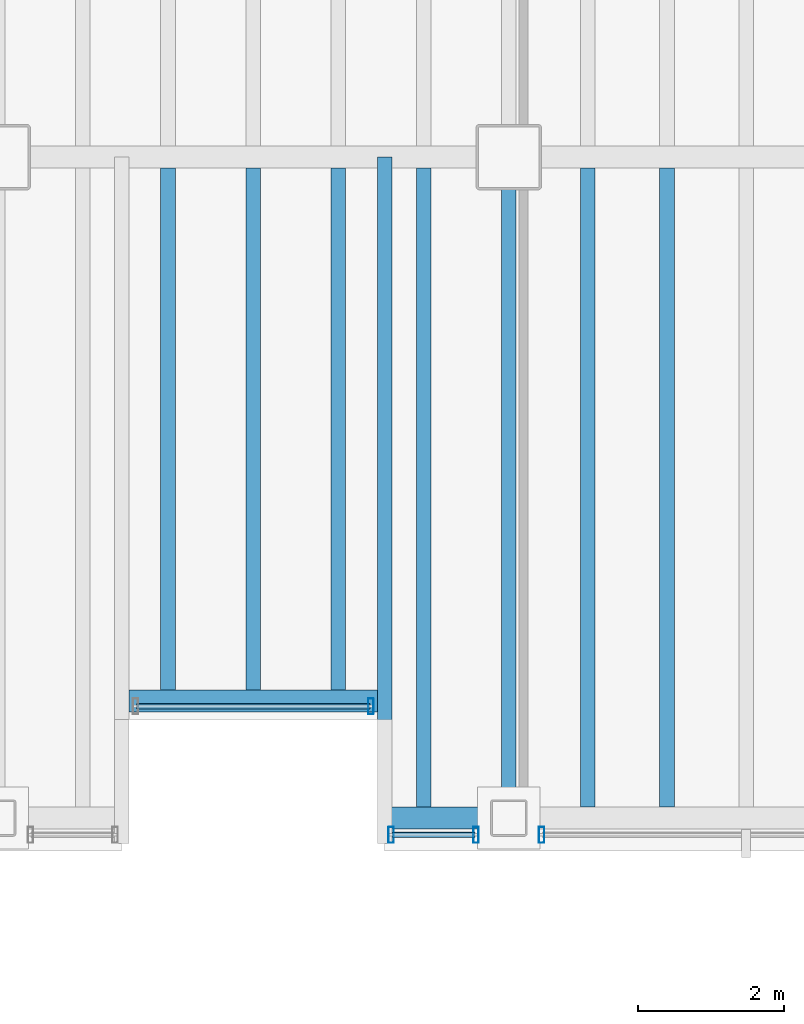
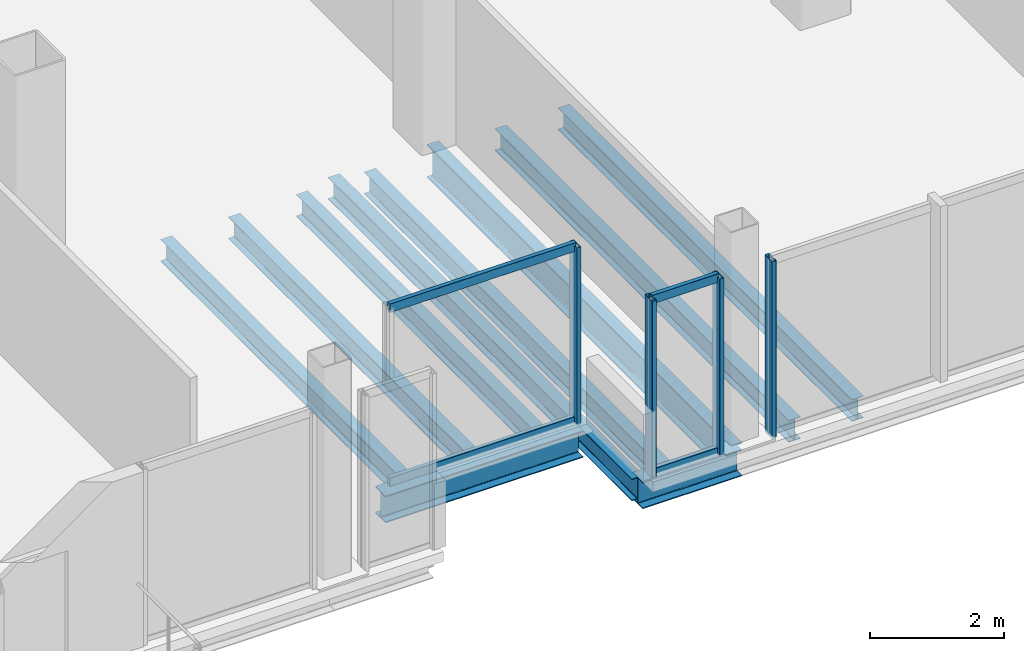
# One storey, part 5 of 20: 10 beams, 8 members, 3 elements without a shape of their own.
"""IFC4 building model written with IfcOpenShell, lengths in metres."""

from ifc_helpers import new_model, si_unit, direction, frame, origin, origin_2d, place, context, subcontext, project, spatial, hollow_rectangle, i_section, extrude, material, material_profile, profile_set, type_object, element, aggregate, save


model = new_model("IFC4")

# Units and contexts
model_context = context("Model", 3, precision=1e-05, world=origin(), true_north=direction((0.0, 1.0)))
body_context = subcontext(model_context, "Body", "Model", "MODEL_VIEW")
ifc_project = project(units=[si_unit("LENGTHUNIT", "METRE"), si_unit("AREAUNIT", "SQUARE_METRE"), si_unit("VOLUMEUNIT", "CUBIC_METRE"), si_unit("PLANEANGLEUNIT", "RADIAN"), si_unit("MASSUNIT", "GRAM", prefix="KILO")], contexts=[model_context])

# Site, building, storey
site_placement = place(None, origin())
site = spatial("IfcSite", under=ifc_project, at=site_placement, CompositionType="ELEMENT")
building_placement = place(site_placement, origin())
building = spatial("IfcBuilding", under=site, at=building_placement, Name="Noeulbin Bourse Tower", CompositionType="ELEMENT")
storey_placement = place(building_placement, frame((0.0, 0.0, 118.800048828125)))
storey = spatial("IfcBuildingStorey", under=building, at=storey_placement, Name="L29", CompositionType="ELEMENT", Elevation=118.800048828125)

# Beams
ifc_material_1 = material(Name="Steel S355", Category="steel")
ifc_material_profile_1 = material_profile(ifc_material_1, i_section(OverallWidth=0.199951171875, OverallDepth=0.60009765625, WebThickness=0.010986328125, FlangeThickness=0.01708984375, FilletRadius=0.02197265625, at=origin_2d()), Name="H-600x200x11x17", Category="LoadBearing")
ifc_profile_set_1 = profile_set([ifc_material_profile_1], Name="Steel S355")
beam_type_1 = type_object("IfcBeamType", Name="BM-GRD-600", PredefinedType="USERDEFINED", material=ifc_profile_set_1)
beam_1_placement = place(storey_placement, frame((31.0, 10.949951171875, -0.47998046875), z_axis=(0.0, 1.0, 0.0), x_axis=(-1.0, 0.0, 0.0)))
element("IfcBeam", 1, at=beam_1_placement, inside=storey, type_object=beam_type_1, Name="Tower Primary Girder NS L29-3.1", ObjectType="GIRDER", PredefinedType="USERDEFINED", context=body_context, shape_type="SweptSolid", body=[
    extrude(i_section(OverallWidth=0.199951171875, OverallDepth=0.60009765625, WebThickness=0.010986328125, FlangeThickness=0.01708984375, FilletRadius=0.02197265625, at=origin_2d()), origin(), (0.0, 0.0, 1.0), 9.050048828125),
])
ifc_material_profile_2 = material_profile(ifc_material_1, i_section(OverallWidth=0.199951171875, OverallDepth=0.39990234375, WebThickness=0.008056640625, FlangeThickness=0.012939453125, FilletRadius=0.01611328125, at=origin_2d()), Name="H-400x200x8x13", Category="LoadBearing")
ifc_profile_set_2 = profile_set([ifc_material_profile_2], Name="Steel S355")
beam_type_2 = type_object("IfcBeamType", Name="BM-SEC-400", PredefinedType="BEAM", material=ifc_profile_set_2)
beam_2_placement = place(storey_placement, frame((29.300048828125, 10.949951171875, -0.380126953125), z_axis=(0.0, 1.0, 0.0), x_axis=(-1.0, 0.0, 0.0)))
element("IfcBeam", 2, at=beam_2_placement, inside=storey, type_object=beam_type_2, Name="BM-L29-SRT-E", PredefinedType="BEAM", context=body_context, shape_type="SweptSolid", body=[
    extrude(i_section(OverallWidth=0.199951171875, OverallDepth=0.39990234375, WebThickness=0.008056640625, FlangeThickness=0.012939453125, FilletRadius=0.01611328125, at=origin_2d()), origin(), (0.0, 0.0, 1.0), 9.050048828125),
])
for number, where, z_axis, x_axis, name in (
    (3, (26.333251953125, 12.699951171875, -0.380126953125), (0.0, 1.0, 0.0), (-1.0, 0.0, 0.0), "Tower Composite Joist L29-19"),
    (4, (27.5, 12.699951171875, -0.380126953125), (0.0, 1.0, 0.0), (-1.0, 0.0, 0.0), "Tower Composite Joist L29-21"),
    (5, (28.666748046875, 12.699951171875, -0.380126953125), (0.0, 1.0, 0.0), (-1.0, 0.0, 0.0), "Tower Composite Joist L29-23"),
):
    element("IfcBeam", number, at=place(storey_placement, frame(where, z_axis=z_axis, x_axis=x_axis)), inside=storey, type_object=beam_type_2, Name=name, PredefinedType="BEAM", context=body_context, shape_type="SweptSolid", body=[
        extrude(i_section(OverallWidth=0.199951171875, OverallDepth=0.39990234375, WebThickness=0.008056640625, FlangeThickness=0.012939453125, FilletRadius=0.01611328125, at=origin_2d()), origin(), (0.0, 0.0, 1.0), 7.150146484375),
    ])
for number, where, z_axis, x_axis, name in (
    (6, (29.833251953125, 11.10009765625, -0.380126953125), (0.0, 1.0, 0.0), (-1.0, 0.0, 0.0), "Tower Composite Joist L29-25"),
    (7, (32.083251953125, 11.10009765625, -0.380126953125), (0.0, 1.0, 0.0), (-1.0, 0.0, 0.0), "Tower Composite Joist L29-27"),
    (8, (33.166748046875, 11.10009765625, -0.380126953125), (0.0, 1.0, 0.0), (-1.0, 0.0, 0.0), "Tower Composite Joist L29-29"),
):
    element("IfcBeam", number, at=place(storey_placement, frame(where, z_axis=z_axis, x_axis=x_axis)), inside=storey, type_object=beam_type_2, Name=name, PredefinedType="BEAM", context=body_context, shape_type="SweptSolid", body=[
        extrude(i_section(OverallWidth=0.199951171875, OverallDepth=0.39990234375, WebThickness=0.008056640625, FlangeThickness=0.012939453125, FilletRadius=0.01611328125, at=origin_2d()), origin(), (0.0, 0.0, 1.0), 8.75),
    ])
ifc_material_profile_3 = material_profile(ifc_material_1, i_section(OverallWidth=0.300048828125, OverallDepth=0.488037109375, WebThickness=0.010986328125, FlangeThickness=0.01806640625, FilletRadius=0.02197265625, at=origin_2d()), Name="H-488x300x11x18", Category="LoadBearing")
ifc_profile_set_3 = profile_set([ifc_material_profile_3], Name="Steel S355")
beam_type_3 = type_object("IfcBeamType", Name="BM-SPN-488", PredefinedType="SPANDREL", material=ifc_profile_set_3)
beam_3_placement = place(storey_placement, frame((25.800048828125, 12.550048828125, -0.424072265625), z_axis=(1.0, 0.0, 0.0), x_axis=(0.0, 1.0, 0.0)))
element("IfcBeam", 9, at=beam_3_placement, inside=storey, type_object=beam_type_3, Name="South Recess Spandrel L29-2B", PredefinedType="SPANDREL", context=body_context, shape_type="SweptSolid", body=[
    extrude(i_section(OverallWidth=0.300048828125, OverallDepth=0.488037109375, WebThickness=0.010986328125, FlangeThickness=0.01806640625, FilletRadius=0.02197265625, at=origin_2d()), origin(), (0.0, 0.0, 1.0), 3.39990234375),
])
beam_4_placement = place(storey_placement, frame((29.300048828125, 10.949951171875, -0.424072265625), z_axis=(1.0, 0.0, 0.0), x_axis=(0.0, 1.0, 0.0)))
element("IfcBeam", 10, at=beam_4_placement, inside=storey, type_object=beam_type_3, Name="South Spandrel L29-2C", PredefinedType="SPANDREL", context=body_context, shape_type="SweptSolid", body=[
    extrude(i_section(OverallWidth=0.300048828125, OverallDepth=0.488037109375, WebThickness=0.010986328125, FlangeThickness=0.01806640625, FilletRadius=0.02197265625, at=origin_2d()), origin(), (0.0, 0.0, 1.0), 1.699951171875),
])

# Curtain wall, member
ifc_material_2 = material(Name="Dark Tinted Triple Glazing", Category="glass")
curtain_wall_type = type_object("IfcCurtainWallType", Name="CW-SYS-3", PredefinedType="NOTDEFINED", material=ifc_material_2)
curtain_wall_1_placement = place(storey_placement, origin())
curtain_wall_1 = element("IfcCurtainWall", 11, at=curtain_wall_1_placement, inside=storey, type_object=curtain_wall_type, Name="Unitised Curtain Wall CW-L29-SREC", PredefinedType="NOTDEFINED")
ifc_material_3 = material(Name="Anodised Aluminium 6063-T6", Category="aluminium")
ifc_material_profile_4 = material_profile(ifc_material_3, hollow_rectangle(XDim=0.074951171875, YDim=0.219970703125, WallThickness=0.0048828125, InnerFilletRadius=0.00244140625, OuterFilletRadius=0.0048828125, at=origin_2d()), Name="ALU-MULL-75x220x5", Category="LoadBearing")
ifc_profile_set_4 = profile_set([ifc_material_profile_4], Name="Anodised Aluminium 6063-T6")
member_type_1 = type_object("IfcMemberType", Name="CW-SYS-3-MUL", PredefinedType="MULLION", material=ifc_profile_set_4)
member_1_placement = place(storey_placement, frame((29.110107421875, 12.47998046875, -0.02001953125), z_axis=(0.0, 0.0, 1.0), x_axis=(1.0, 0.0, 0.0)))
member_1 = element("IfcMember", 12, at=member_1_placement, type_object=member_type_1, Name="Curtain Wall Mullion CW-L29-SREC-M01", PredefinedType="MULLION", context=body_context, shape_type="SweptSolid", body=[
    extrude(hollow_rectangle(XDim=0.074951171875, YDim=0.219970703125, WallThickness=0.0048828125, InnerFilletRadius=0.00244140625, OuterFilletRadius=0.0048828125, at=origin_2d()), origin(), (0.0, 0.0, 1.0), 3.219970703125),
])

# Curtain wall, members
curtain_wall_2_placement = place(storey_placement, origin())
curtain_wall_2 = element("IfcCurtainWall", 13, at=curtain_wall_2_placement, inside=storey, type_object=curtain_wall_type, Name="Unitised Curtain Wall CW-L29-S3-S1", PredefinedType="NOTDEFINED")
member_2_placement = place(storey_placement, frame((29.389892578125, 10.719970703125, -0.02001953125), z_axis=(0.0, 0.0, 1.0), x_axis=(1.0, 0.0, 0.0)))
member_2 = element("IfcMember", 14, at=member_2_placement, type_object=member_type_1, Name="Curtain Wall Mullion CW-L29-S3-S1-M00", PredefinedType="MULLION", context=body_context, shape_type="SweptSolid", body=[
    extrude(hollow_rectangle(XDim=0.074951171875, YDim=0.219970703125, WallThickness=0.0048828125, InnerFilletRadius=0.00244140625, OuterFilletRadius=0.0048828125, at=origin_2d()), origin(), (0.0, 0.0, 1.0), 3.219970703125),
])
member_3_placement = place(storey_placement, frame((30.550048828125, 10.719970703125, -0.02001953125), z_axis=(0.0, 0.0, 1.0), x_axis=(1.0, 0.0, 0.0)))
member_3 = element("IfcMember", 15, at=member_3_placement, type_object=member_type_1, Name="Curtain Wall Mullion CW-L29-S3-S1-M01", PredefinedType="MULLION", context=body_context, shape_type="SweptSolid", body=[
    extrude(hollow_rectangle(XDim=0.074951171875, YDim=0.219970703125, WallThickness=0.0048828125, InnerFilletRadius=0.00244140625, OuterFilletRadius=0.0048828125, at=origin_2d()), origin(), (0.0, 0.0, 1.0), 3.219970703125),
])

# Curtain wall, member
curtain_wall_3_placement = place(storey_placement, origin())
curtain_wall_3 = element("IfcCurtainWall", 16, at=curtain_wall_3_placement, inside=storey, type_object=curtain_wall_type, Name="Unitised Curtain Wall CW-L29-S3-S2", PredefinedType="NOTDEFINED")
member_4_placement = place(storey_placement, frame((31.449951171875, 10.719970703125, -0.02001953125), z_axis=(0.0, 0.0, 1.0), x_axis=(1.0, 0.0, 0.0)))
member_4 = element("IfcMember", 17, at=member_4_placement, type_object=member_type_1, Name="Curtain Wall Mullion CW-L29-S3-S2-M00", PredefinedType="MULLION", context=body_context, shape_type="SweptSolid", body=[
    extrude(hollow_rectangle(XDim=0.074951171875, YDim=0.219970703125, WallThickness=0.0048828125, InnerFilletRadius=0.00244140625, OuterFilletRadius=0.0048828125, at=origin_2d()), origin(), (0.0, 0.0, 1.0), 3.219970703125),
])
aggregate(curtain_wall_3, [member_4])

# Member
ifc_material_profile_5 = material_profile(ifc_material_3, hollow_rectangle(XDim=0.074951171875, YDim=0.159912109375, WallThickness=0.0048828125, InnerFilletRadius=0.00244140625, OuterFilletRadius=0.0048828125, at=origin_2d()), Name="ALU-TRAN-75x160x5", Category="LoadBearing")
ifc_profile_set_5 = profile_set([ifc_material_profile_5], Name="Anodised Aluminium 6063-T6")
member_type_2 = type_object("IfcMemberType", Name="CW-SYS-3-TRN", PredefinedType="USERDEFINED", material=ifc_profile_set_5)
member_5_placement = place(storey_placement, frame((25.89990234375, 12.47998046875, 0.010009765625), z_axis=(1.0, 0.0, 0.0), x_axis=(0.0, 1.0, 0.0)))
member_5 = element("IfcMember", 18, at=member_5_placement, type_object=member_type_2, Name="Curtain Wall Transom CW-L29-SREC-T00", ObjectType="TRANSOM", PredefinedType="USERDEFINED", context=body_context, shape_type="SweptSolid", body=[
    extrude(hollow_rectangle(XDim=0.074951171875, YDim=0.159912109375, WallThickness=0.0048828125, InnerFilletRadius=0.00244140625, OuterFilletRadius=0.0048828125, at=origin_2d()), origin(), (0.0, 0.0, 1.0), 3.2001953125),
])

member_6_placement = place(storey_placement, frame((25.89990234375, 12.47998046875, 3.169921875), z_axis=(1.0, 0.0, 0.0), x_axis=(0.0, 1.0, 0.0)))
member_6 = element("IfcMember", 19, at=member_6_placement, type_object=member_type_2, Name="Curtain Wall Transom CW-L29-SREC-T01", ObjectType="TRANSOM", PredefinedType="USERDEFINED", context=body_context, shape_type="SweptSolid", body=[
    extrude(hollow_rectangle(XDim=0.074951171875, YDim=0.159912109375, WallThickness=0.0048828125, InnerFilletRadius=0.00244140625, OuterFilletRadius=0.0048828125, at=origin_2d()), origin(), (0.0, 0.0, 1.0), 3.2001953125),
])

aggregate(curtain_wall_1, [member_1, member_5, member_6])

member_7_placement = place(storey_placement, frame((29.39990234375, 10.719970703125, 0.010009765625), z_axis=(1.0, 0.0, 0.0), x_axis=(0.0, 1.0, 0.0)))
member_7 = element("IfcMember", 20, at=member_7_placement, type_object=member_type_2, Name="Curtain Wall Transom CW-L29-S3-S1-T00", ObjectType="TRANSOM", PredefinedType="USERDEFINED", context=body_context, shape_type="SweptSolid", body=[
    extrude(hollow_rectangle(XDim=0.074951171875, YDim=0.159912109375, WallThickness=0.0048828125, InnerFilletRadius=0.00244140625, OuterFilletRadius=0.0048828125, at=origin_2d()), origin(), (0.0, 0.0, 1.0), 1.14013671875),
])

member_8_placement = place(storey_placement, frame((29.39990234375, 10.719970703125, 3.169921875), z_axis=(1.0, 0.0, 0.0), x_axis=(0.0, 1.0, 0.0)))
member_8 = element("IfcMember", 21, at=member_8_placement, type_object=member_type_2, Name="Curtain Wall Transom CW-L29-S3-S1-T01", ObjectType="TRANSOM", PredefinedType="USERDEFINED", context=body_context, shape_type="SweptSolid", body=[
    extrude(hollow_rectangle(XDim=0.074951171875, YDim=0.159912109375, WallThickness=0.0048828125, InnerFilletRadius=0.00244140625, OuterFilletRadius=0.0048828125, at=origin_2d()), origin(), (0.0, 0.0, 1.0), 1.14013671875),
])

aggregate(curtain_wall_2, [member_2, member_3, member_7, member_8])

save(model, "model.ifc")
